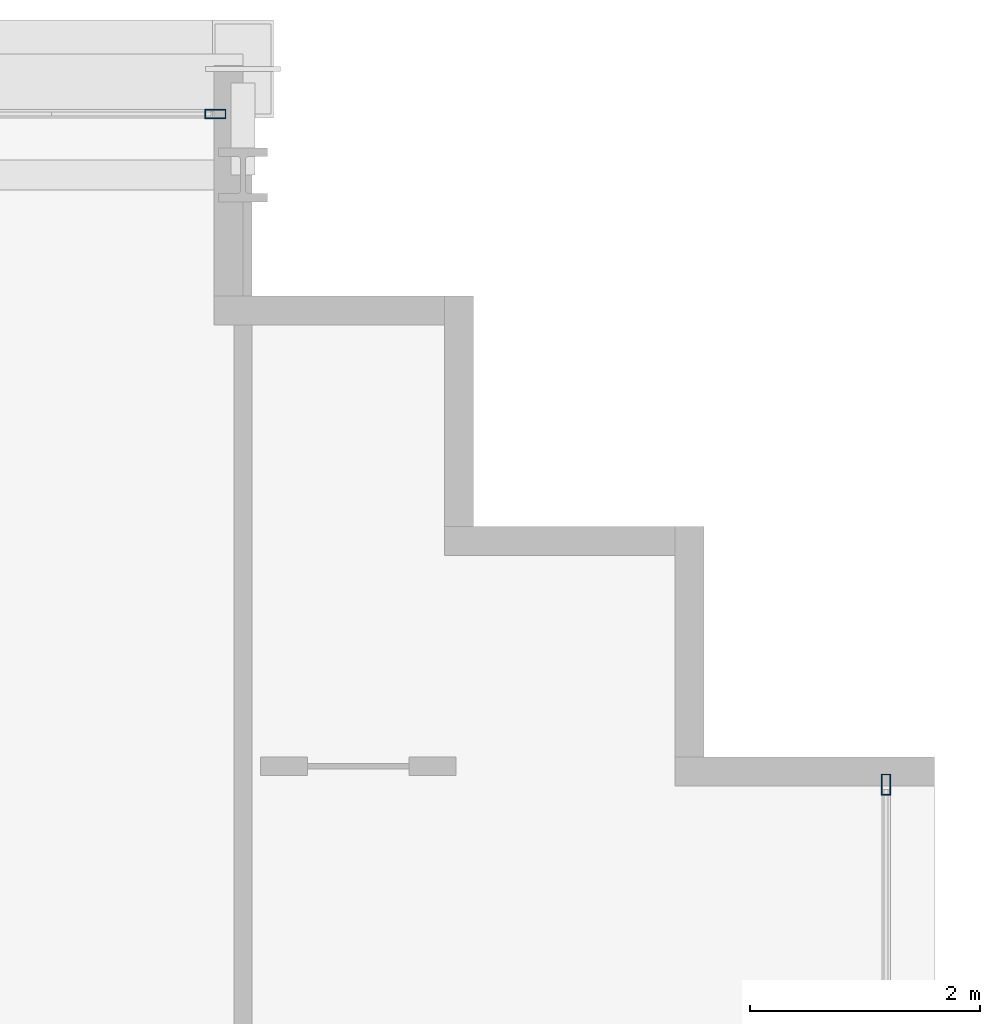
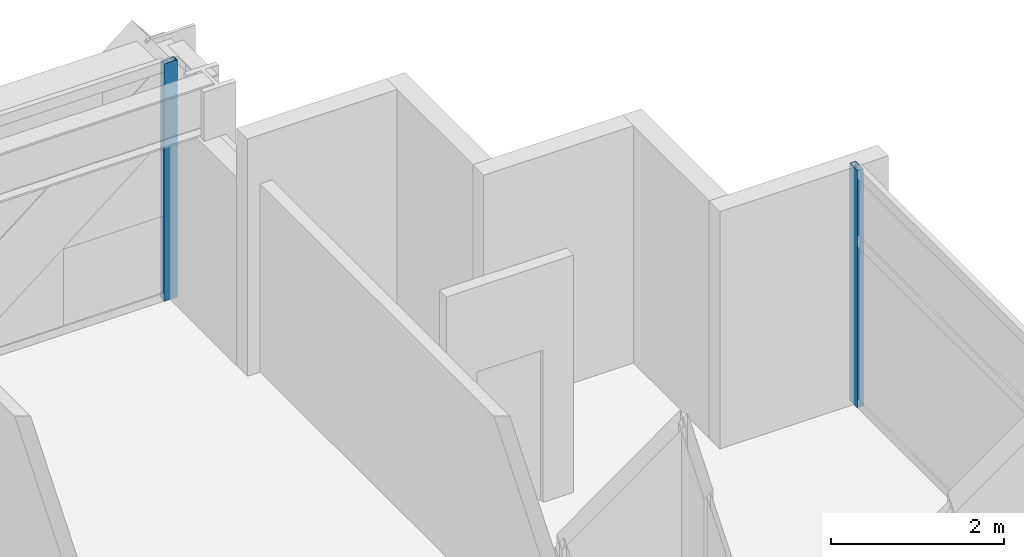
# One storey, part 22 of 38: 2 members, 2 elements without a shape of their own.
"""IFC4 building model written with IfcOpenShell, lengths in metres."""

from ifc_helpers import new_model, si_unit, direction, frame, origin, origin_2d, place, context, subcontext, project, spatial, hollow_rectangle, extrude, source, transform, mapped, material, layer, layer_set, material_profile, profile_set, type_object, element, aggregate, save


model = new_model("IFC4")

# Units and contexts
model_context = context("Model", 3, precision=1e-05, world=origin(), true_north=direction((0.0, 1.0)))
body_context = subcontext(model_context, "Body", "Model", "MODEL_VIEW")
ifc_project = project(units=[si_unit("LENGTHUNIT", "METRE"), si_unit("AREAUNIT", "SQUARE_METRE"), si_unit("VOLUMEUNIT", "CUBIC_METRE"), si_unit("PLANEANGLEUNIT", "RADIAN"), si_unit("MASSUNIT", "GRAM", prefix="KILO")], contexts=[model_context])

# Site, building, storey
site_placement = place(None, origin())
site = spatial("IfcSite", under=ifc_project, at=site_placement, CompositionType="ELEMENT")
building_placement = place(site_placement, origin())
building = spatial("IfcBuilding", under=site, at=building_placement, Name="Ocotamira Hotel", CompositionType="ELEMENT")
storey_placement = place(building_placement, frame((0.0, 0.0, 74.39990234375)))
storey = spatial("IfcBuildingStorey", under=building, at=storey_placement, Name="L18", CompositionType="ELEMENT", Elevation=74.39990234375)

# Curtain wall, member
ifc_material_1 = material(Name="Anodised pale-metal aluminium and solar glass", Category="aluminium")
ifc_layer = layer(ifc_material_1, 0.179931640625)
ifc_layer_set = layer_set([ifc_layer], Name="Anodised pale-metal aluminium and solar glass")
curtain_wall_type = type_object("IfcCurtainWallType", Name="CW-SYS2-Z1", PredefinedType="NOTDEFINED", material=ifc_layer_set)
curtain_wall_1_placement = place(storey_placement, origin())
curtain_wall_1 = element("IfcCurtainWall", 1, at=curtain_wall_1_placement, inside=storey, type_object=curtain_wall_type, Name="L18 Curtain Wall CW-2 CW-L18-N", PredefinedType="NOTDEFINED")
ifc_material_2 = material(Name="Anodised pale-metal aluminium 6063-T6", Category="aluminium")
ifc_material_profile = material_profile(ifc_material_2, hollow_rectangle(XDim=0.080078125, YDim=0.179931640625, WallThickness=0.006103515625, at=origin_2d()), Name="HSS180X80X6")
ifc_profile_set = profile_set([ifc_material_profile], Name="Anodised pale-metal aluminium 6063-T6")
member_type = type_object("IfcMemberType", Name="CWM-180X75", PredefinedType="MULLION", material=ifc_profile_set)
shared_shape = source(origin(), body_context, "Body", "SweptSolid", [
    extrude(hollow_rectangle(XDim=0.080078125, YDim=0.179931640625, WallThickness=0.006103515625, at=origin_2d()), origin(), (0.0, 0.0, 1.0), 3.35009765625),
])
member_1_placement = place(storey_placement, frame((49.760009765625, 49.580078125, 0.0), z_axis=(0.0, 0.0, 1.0), x_axis=(0.0, 1.0, 0.0)))
member_1 = element("IfcMember", 2, at=member_1_placement, type_object=member_type, Name="CW-2 mullion 10", PredefinedType="MULLION", context=body_context, shape_type="MappedRepresentation", body=[
    mapped(shared_shape, transform((0.0, 0.0, 0.0), scale=1.0)),
])
aggregate(curtain_wall_1, [member_1])

curtain_wall_2_placement = place(storey_placement, origin())
curtain_wall_2 = element("IfcCurtainWall", 3, at=curtain_wall_2_placement, inside=storey, type_object=curtain_wall_type, Name="L18 Curtain Wall CW-2 CW-L18-E", PredefinedType="NOTDEFINED")
member_2_placement = place(storey_placement, frame((55.580078125, 43.760009765625, 0.0), z_axis=(0.0, 0.0, 1.0), x_axis=(-1.0, 0.0, 0.0)))
member_2 = element("IfcMember", 4, at=member_2_placement, type_object=member_type, Name="CW-2 mullion 8", PredefinedType="MULLION", context=body_context, shape_type="MappedRepresentation", body=[
    mapped(shared_shape, transform((0.0, 0.0, 0.0), scale=1.0)),
])
aggregate(curtain_wall_2, [member_2])

save(model, "model.ifc")
